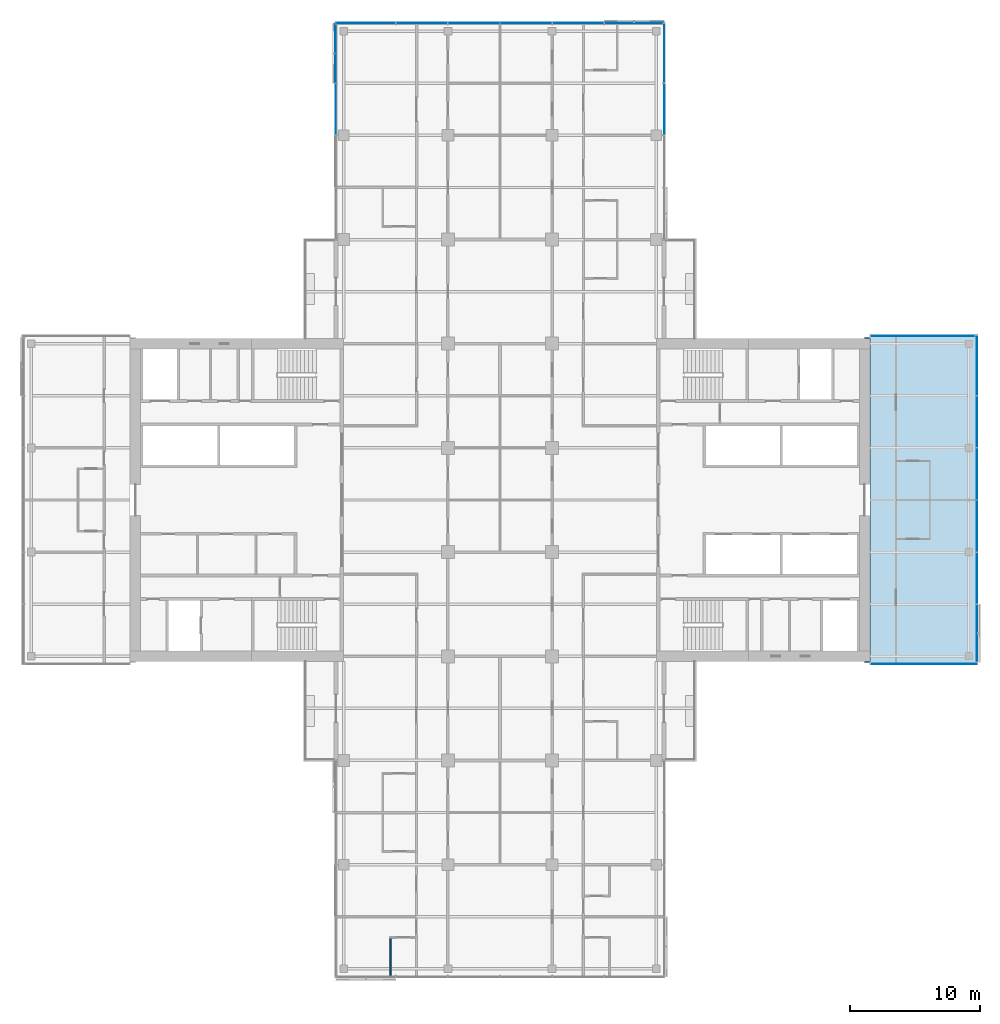
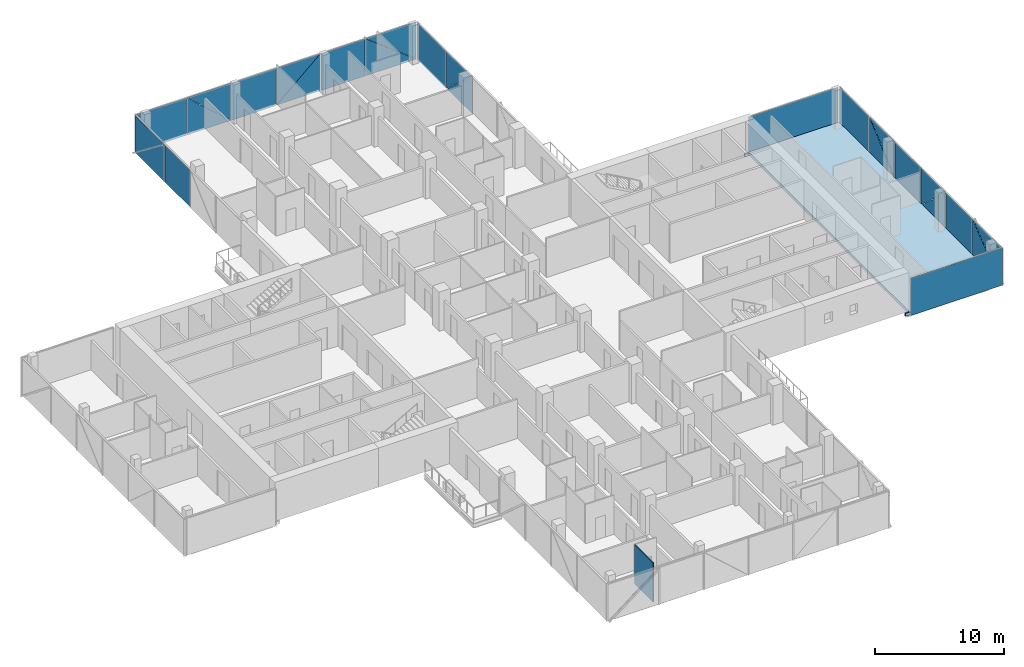
# One storey, part 14 of 27: 26 plates, 1 slab, 1 wall, 6 elements without a shape of their own.
"""IFC4 building model written with IfcOpenShell, lengths in metres."""

from ifc_helpers import new_model, si_unit, direction, frame, frame_2d, origin, place, context, subcontext, project, spatial, polyline, rectangle, outline, extrude, material, layer, layer_set, type_object, element, aggregate, save


model = new_model("IFC4")

# Units and contexts
model_context = context("Model", 3, precision=1e-05, world=origin(), true_north=direction((0.0, 1.0)))
body_context = subcontext(model_context, "Body", "Model", "MODEL_VIEW")
ifc_project = project(units=[si_unit("LENGTHUNIT", "METRE"), si_unit("AREAUNIT", "SQUARE_METRE"), si_unit("VOLUMEUNIT", "CUBIC_METRE"), si_unit("PLANEANGLEUNIT", "RADIAN"), si_unit("MASSUNIT", "GRAM", prefix="KILO")], contexts=[model_context])

# Site, building, storey
site_placement = place(None, origin())
site = spatial("IfcSite", under=ifc_project, at=site_placement, CompositionType="ELEMENT")
building_placement = place(site_placement, origin())
building = spatial("IfcBuilding", under=site, at=building_placement, Name="Crosswind Convention Tower", CompositionType="ELEMENT")
storey_placement = place(building_placement, frame((0.0, 0.0, 101.60009765625)))
storey = spatial("IfcBuildingStorey", under=building, at=storey_placement, Name="L20", CompositionType="ELEMENT", Elevation=101.60009765625)

# Slab
ifc_material_1 = material(Name="Concrete C40/50", Category="concrete")
ifc_layer_1 = layer(ifc_material_1, 0.280029296875)
ifc_layer_set_1 = layer_set([ifc_layer_1], Name="Concrete C40/50")
slab_type = type_object("IfcSlabType", Name="Composite floor slab 280", PredefinedType="FLOOR", material=ifc_layer_set_1)
slab_placement = place(storey_placement, frame((0.0, 0.0, -0.280029296875)))
element("IfcSlab", 1, at=slab_placement, inside=storey, type_object=slab_type, Name="Floor slab L20 part 3", PredefinedType="FLOOR", context=body_context, shape_type="SweptSolid", body=[
    extrude(outline(polyline([(153.0, 112.5), (161.0, 112.5), (161.5, 112.5), (161.5, 112.0), (161.5, 88.0), (161.5, 87.5), (161.0, 87.5), (153.0, 87.5), (153.0, 87.60009765625), (153.39990234375, 87.60009765625), (153.39990234375, 112.39990234375), (153.0, 112.39990234375), (153.0, 112.5)])), origin(), (0.0, 0.0, 1.0), 0.280029296875),
])

# Curtain wall, plate
ifc_material_2 = material(Name="Aluminium unitised curtain wall", Category="aluminium")
curtain_wall_type_1 = type_object("IfcCurtainWallType", Name="CORE END SLOT WALL 160", PredefinedType="USERDEFINED", material=ifc_material_2)
curtain_wall_1_placement = place(storey_placement, origin())
curtain_wall_1 = element("IfcCurtainWall", 2, at=curtain_wall_1_placement, inside=storey, type_object=curtain_wall_type_1, Name="CW6 L20 E-N.1-1 slot", ObjectType="UNITISED", PredefinedType="USERDEFINED")
ifc_material_3 = material(Name="Laminated insulating glass unit", Category="glass")
ifc_layer_2 = layer(ifc_material_3, 0.02587890625)
ifc_layer_set_2 = layer_set([ifc_layer_2], Name="TRIANGULAR GLASS PANEL 26")
plate_type_1 = type_object("IfcPlateType", Name="TRIANGULAR GLASS PANEL 26", PredefinedType="CURTAIN_PANEL", material=ifc_layer_set_2)
plate_1_placement = place(storey_placement, frame((161.449951171875, 112.606689453125, -0.280029296875), z_axis=(0.0, 0.999999913901, 0.000414966421), x_axis=(-1.0, 0.0, 0.0)))
plate_1 = element("IfcPlate", 3, at=plate_1_placement, type_object=plate_type_1, Name="CW6 panel 1.1", PredefinedType="CURTAIN_PANEL", context=body_context, shape_type="SweptSolid", body=[
    extrude(outline(polyline([(0.0, 0.0), (8.0, 0.0), (8.0, 3.5300296008054977), (0.0, 3.5300296008054977), (0.0, 0.0)])), origin(), (0.0, 0.0, -1.0), 0.02587890625),
])
aggregate(curtain_wall_1, [plate_1])

curtain_wall_2_placement = place(storey_placement, origin())
curtain_wall_2 = element("IfcCurtainWall", 4, at=curtain_wall_2_placement, inside=storey, type_object=curtain_wall_type_1, Name="CW6 L20 E-S.2-1 slot", ObjectType="UNITISED", PredefinedType="USERDEFINED")
plate_2_placement = place(storey_placement, frame((153.449951171875, 87.393310546875, -0.280029296875), z_axis=(0.0, -0.999999913901, 0.000414966421), x_axis=(1.0, 0.0, 0.0)))
plate_2 = element("IfcPlate", 5, at=plate_2_placement, type_object=plate_type_1, Name="CW6 panel 1.1", PredefinedType="CURTAIN_PANEL", context=body_context, shape_type="SweptSolid", body=[
    extrude(outline(polyline([(0.0, 0.0), (8.199951171875, 0.0), (8.199951171875, 3.5300296008054977), (0.0, 3.5300296008054977), (0.0, 0.0)])), origin(), (0.0, 0.0, -1.0), 0.02587890625),
])
aggregate(curtain_wall_2, [plate_2])

# Curtain wall, plates
curtain_wall_type_2 = type_object("IfcCurtainWallType", Name="HOTEL UNITISED WALL 200", PredefinedType="USERDEFINED", material=ifc_material_2)
curtain_wall_3_placement = place(storey_placement, origin())
curtain_wall_3 = element("IfcCurtainWall", 6, at=curtain_wall_3_placement, inside=storey, type_object=curtain_wall_type_2, Name="CW2 L20 E-TIP 1", ObjectType="UNITISED", PredefinedType="USERDEFINED")
ifc_layer_3 = layer(ifc_material_3, 0.028076171875)
ifc_layer_set_3 = layer_set([ifc_layer_3], Name="TRIANGULAR GLASS PANEL 28")
plate_type_2 = type_object("IfcPlateType", Name="TRIANGULAR GLASS PANEL 28", PredefinedType="CURTAIN_PANEL", material=ifc_layer_set_3)
plate_3_placement = place(storey_placement, frame((161.628662109375, 91.967529296875, -0.280029296875), z_axis=(0.999999912528, 0.0, 0.000418264167), x_axis=(-0.000418264167, 0.0, 0.999999912528)))
plate_3 = element("IfcPlate", 7, at=plate_3_placement, type_object=plate_type_2, Name="CW2 panel 1.1", PredefinedType="CURTAIN_PANEL", context=body_context, shape_type="SweptSolid", body=[
    extrude(outline(polyline([(0.0, 0.0), (3.502197571970839, 0.0), (0.0, 4.386474609375001), (0.0, 0.0)])), origin(), (0.0, 0.0, -1.0), 0.028076171875),
])
plate_4_placement = place(storey_placement, frame((161.6572265625, 87.56494140625, 3.23486328125), z_axis=(0.999999912528, 0.0, 0.000418264167), x_axis=(0.000418264167, 0.0, -0.999999912528)))
plate_4 = element("IfcPlate", 8, at=plate_4_placement, type_object=plate_type_2, Name="CW2 panel 1.2", PredefinedType="CURTAIN_PANEL", context=body_context, shape_type="SweptSolid", body=[
    extrude(outline(polyline([(0.0, 0.0), (3.502197571970839, 0.0), (0.0, 4.386474609375001), (0.0, 0.0)])), origin(), (0.0, 0.0, -1.0), 0.028076171875),
])
plate_5_placement = place(storey_placement, frame((161.628662109375, 92.032470703125, -0.280029296875), z_axis=(0.999999913158, 0.0, 0.000416753454), x_axis=(0.0, 1.0, 0.0)))
plate_5 = element("IfcPlate", 9, at=plate_5_placement, type_object=plate_type_2, Name="CW2 panel 2.1", PredefinedType="CURTAIN_PANEL", context=body_context, shape_type="SweptSolid", body=[
    extrude(outline(polyline([(0.0, 0.0), (3.93505859375, 0.0), (3.93505859375, 3.514892883364359), (0.0, 3.514892883364359), (0.0, 0.0)])), origin(), (0.0, 0.0, -1.0), 0.028076171875),
])
plate_6_placement = place(storey_placement, frame((161.627197265625, 99.967529296875, 3.23486328125), z_axis=(0.999999912491, 0.0, 0.000418351658), x_axis=(0.0, -1.0, 0.0)))
plate_6 = element("IfcPlate", 10, at=plate_6_placement, type_object=plate_type_2, Name="CW2 panel 3.1", PredefinedType="CURTAIN_PANEL", context=body_context, shape_type="SweptSolid", body=[
    extrude(outline(polyline([(0.0, 0.0), (3.919921875, 0.0), (0.0, 3.5014651501599188), (0.0, 0.0)])), origin(), (0.0, 0.0, -1.0), 0.028076171875),
])
plate_7_placement = place(storey_placement, frame((161.65869140625, 96.032470703125, -0.280029296875), z_axis=(0.999999912491, 0.0, 0.000418351658), x_axis=(0.0, 1.0, 0.0)))
plate_7 = element("IfcPlate", 11, at=plate_7_placement, type_object=plate_type_2, Name="CW2 panel 3.2", PredefinedType="CURTAIN_PANEL", context=body_context, shape_type="SweptSolid", body=[
    extrude(outline(polyline([(0.0, 0.0), (3.919921875, 0.0), (0.0, 3.5014651501599188), (0.0, 0.0)])), origin(), (0.0, 0.0, -1.0), 0.028076171875),
])
plate_8_placement = place(storey_placement, frame((161.628662109375, 100.032470703125, -0.280029296875), z_axis=(0.999999913158, 0.0, 0.000416753454), x_axis=(0.0, 1.0, 0.0)))
plate_8 = element("IfcPlate", 12, at=plate_8_placement, type_object=plate_type_2, Name="CW2 panel 4.1", PredefinedType="CURTAIN_PANEL", context=body_context, shape_type="SweptSolid", body=[
    extrude(outline(polyline([(0.0, 0.0), (3.93505859375, 0.0), (3.93505859375, 3.514892883364359), (0.0, 3.514892883364359), (0.0, 0.0)])), origin(), (0.0, 0.0, -1.0), 0.028076171875),
])
plate_9_placement = place(storey_placement, frame((161.628662109375, 107.967529296875, -0.280029296875), z_axis=(0.999999912491, 0.0, 0.000418351658), x_axis=(-0.000418351658, 0.0, 0.999999912491)))
plate_9 = element("IfcPlate", 13, at=plate_9_placement, type_object=plate_type_2, Name="CW2 panel 5.1", PredefinedType="CURTAIN_PANEL", context=body_context, shape_type="SweptSolid", body=[
    extrude(outline(polyline([(0.0, 0.0), (3.5014651501599188, 0.0), (0.0, 3.919921875), (0.0, 0.0)])), origin(), (0.0, 0.0, -1.0), 0.028076171875),
])
plate_10_placement = place(storey_placement, frame((161.6572265625, 104.032470703125, 3.23486328125), z_axis=(0.999999912491, 0.0, 0.000418351658), x_axis=(0.000418351658, 0.0, -0.999999912491)))
plate_10 = element("IfcPlate", 14, at=plate_10_placement, type_object=plate_type_2, Name="CW2 panel 5.2", PredefinedType="CURTAIN_PANEL", context=body_context, shape_type="SweptSolid", body=[
    extrude(outline(polyline([(0.0, 0.0), (3.5014651501599188, 0.0), (0.0, 3.919921875), (0.0, 0.0)])), origin(), (0.0, 0.0, -1.0), 0.028076171875),
])
plate_11_placement = place(storey_placement, frame((161.628662109375, 108.032470703125, -0.280029296875), z_axis=(0.999999913158, 0.0, 0.000416753454), x_axis=(0.0, 1.0, 0.0)))
plate_11 = element("IfcPlate", 15, at=plate_11_placement, type_object=plate_type_2, Name="CW2 panel 6.1", PredefinedType="CURTAIN_PANEL", context=body_context, shape_type="SweptSolid", body=[
    extrude(outline(polyline([(0.0, 0.0), (4.5625, 0.0), (4.5625, 3.514892883364359), (0.0, 3.514892883364359), (0.0, 0.0)])), origin(), (0.0, 0.0, -1.0), 0.028076171875),
])
aggregate(curtain_wall_3, [plate_3, plate_4, plate_5, plate_6, plate_7, plate_8, plate_9, plate_10, plate_11])

curtain_wall_4_placement = place(storey_placement, origin())
curtain_wall_4 = element("IfcCurtainWall", 16, at=curtain_wall_4_placement, inside=storey, type_object=curtain_wall_type_2, Name="CW2 L20 N-E 1", ObjectType="UNITISED", PredefinedType="USERDEFINED")
plate_12_placement = place(storey_placement, frame((137.627197265625, 131.967529296875, 3.23486328125), z_axis=(0.999999912491, 0.0, 0.000418351658), x_axis=(0.0, -1.0, 0.0)))
plate_12 = element("IfcPlate", 17, at=plate_12_placement, type_object=plate_type_2, Name="CW2 panel 3.1", PredefinedType="CURTAIN_PANEL", context=body_context, shape_type="SweptSolid", body=[
    extrude(outline(polyline([(0.0, 0.0), (3.919921875, 0.0), (0.0, 3.5014651501599188), (0.0, 0.0)])), origin(), (0.0, 0.0, -1.0), 0.028076171875),
])
plate_13_placement = place(storey_placement, frame((137.65869140625, 128.032470703125, -0.280029296875), z_axis=(0.999999912491, 0.0, 0.000418351658), x_axis=(0.0, 1.0, 0.0)))
plate_13 = element("IfcPlate", 18, at=plate_13_placement, type_object=plate_type_2, Name="CW2 panel 3.2", PredefinedType="CURTAIN_PANEL", context=body_context, shape_type="SweptSolid", body=[
    extrude(outline(polyline([(0.0, 0.0), (3.919921875, 0.0), (0.0, 3.5014651501599188), (0.0, 0.0)])), origin(), (0.0, 0.0, -1.0), 0.028076171875),
])
plate_14_placement = place(storey_placement, frame((137.628662109375, 132.032470703125, -0.280029296875), z_axis=(0.999999913158, 0.0, 0.000416753454), x_axis=(0.0, 1.0, 0.0)))
plate_14 = element("IfcPlate", 19, at=plate_14_placement, type_object=plate_type_2, Name="CW2 panel 4.1", PredefinedType="CURTAIN_PANEL", context=body_context, shape_type="SweptSolid", body=[
    extrude(outline(polyline([(0.0, 0.0), (4.534912109375, 0.0), (4.534912109375, 3.514892883364359), (0.0, 3.514892883364359), (0.0, 0.0)])), origin(), (0.0, 0.0, -1.0), 0.028076171875),
])
aggregate(curtain_wall_4, [plate_12, plate_13, plate_14])

curtain_wall_5_placement = place(storey_placement, origin())
curtain_wall_5 = element("IfcCurtainWall", 20, at=curtain_wall_5_placement, inside=storey, type_object=curtain_wall_type_2, Name="CW2 L20 N-TIP 1", ObjectType="UNITISED", PredefinedType="USERDEFINED")
plate_15_placement = place(storey_placement, frame((133.032470703125, 136.628662109375, -0.280029296875), z_axis=(0.0, 0.999999912528, 0.000418264167), x_axis=(0.0, -0.000418264167, 0.999999912528)))
plate_15 = element("IfcPlate", 21, at=plate_15_placement, type_object=plate_type_2, Name="CW2 panel 1.1", PredefinedType="CURTAIN_PANEL", context=body_context, shape_type="SweptSolid", body=[
    extrude(outline(polyline([(0.0, 0.0), (3.502197571970839, 0.0), (0.0, 4.518798828125), (0.0, 0.0)])), origin(), (0.0, 0.0, -1.0), 0.028076171875),
])
plate_16_placement = place(storey_placement, frame((137.5673828125, 136.6572265625, 3.23486328125), z_axis=(0.0, 0.999999912528, 0.000418264167), x_axis=(0.0, 0.000418264167, -0.999999912528)))
plate_16 = element("IfcPlate", 22, at=plate_16_placement, type_object=plate_type_2, Name="CW2 panel 1.2", PredefinedType="CURTAIN_PANEL", context=body_context, shape_type="SweptSolid", body=[
    extrude(outline(polyline([(0.0, 0.0), (3.502197571970839, 0.0), (0.0, 4.5185546875), (0.0, 0.0)])), origin(), (0.0, 0.0, -1.0), 0.028076171875),
])
plate_17_placement = place(storey_placement, frame((132.967529296875, 136.628662109375, -0.280029296875), z_axis=(0.0, 0.999999913158, 0.000416753454), x_axis=(-1.0, 0.0, 0.0)))
plate_17 = element("IfcPlate", 23, at=plate_17_placement, type_object=plate_type_2, Name="CW2 panel 2.1", PredefinedType="CURTAIN_PANEL", context=body_context, shape_type="SweptSolid", body=[
    extrude(outline(polyline([(0.0, 0.0), (3.93505859375, 0.0), (3.93505859375, 3.514892883364359), (0.0, 3.514892883364359), (0.0, 0.0)])), origin(), (0.0, 0.0, -1.0), 0.028076171875),
])
plate_18_placement = place(storey_placement, frame((125.032470703125, 136.627197265625, 3.23486328125), z_axis=(0.0, 0.999999912491, 0.000418351658), x_axis=(1.0, 0.0, 0.0)))
plate_18 = element("IfcPlate", 24, at=plate_18_placement, type_object=plate_type_2, Name="CW2 panel 3.1", PredefinedType="CURTAIN_PANEL", context=body_context, shape_type="SweptSolid", body=[
    extrude(outline(polyline([(0.0, 0.0), (3.919921875, 0.0), (0.0, 3.5014651501599188), (0.0, 0.0)])), origin(), (0.0, 0.0, -1.0), 0.028076171875),
])
plate_19_placement = place(storey_placement, frame((128.967529296875, 136.65869140625, -0.280029296875), z_axis=(0.0, 0.999999912491, 0.000418351658), x_axis=(-1.0, 0.0, 0.0)))
plate_19 = element("IfcPlate", 25, at=plate_19_placement, type_object=plate_type_2, Name="CW2 panel 3.2", PredefinedType="CURTAIN_PANEL", context=body_context, shape_type="SweptSolid", body=[
    extrude(outline(polyline([(0.0, 0.0), (3.919921875, 0.0), (0.0, 3.5014651501599188), (0.0, 0.0)])), origin(), (0.0, 0.0, -1.0), 0.028076171875),
])
plate_20_placement = place(storey_placement, frame((124.967529296875, 136.628662109375, -0.280029296875), z_axis=(0.0, 0.999999913158, 0.000416753454), x_axis=(-1.0, 0.0, 0.0)))
plate_20 = element("IfcPlate", 26, at=plate_20_placement, type_object=plate_type_2, Name="CW2 panel 4.1", PredefinedType="CURTAIN_PANEL", context=body_context, shape_type="SweptSolid", body=[
    extrude(outline(polyline([(0.0, 0.0), (3.93505859375, 0.0), (3.93505859375, 3.514892883364359), (0.0, 3.514892883364359), (0.0, 0.0)])), origin(), (0.0, 0.0, -1.0), 0.028076171875),
])
plate_21_placement = place(storey_placement, frame((117.032470703125, 136.628662109375, -0.280029296875), z_axis=(0.0, 0.999999912491, 0.000418351658), x_axis=(0.0, -0.000418351658, 0.999999912491)))
plate_21 = element("IfcPlate", 27, at=plate_21_placement, type_object=plate_type_2, Name="CW2 panel 5.1", PredefinedType="CURTAIN_PANEL", context=body_context, shape_type="SweptSolid", body=[
    extrude(outline(polyline([(0.0, 0.0), (3.5014651501599188, 0.0), (0.0, 3.919921875), (0.0, 0.0)])), origin(), (0.0, 0.0, -1.0), 0.028076171875),
])
plate_22_placement = place(storey_placement, frame((120.967529296875, 136.6572265625, 3.23486328125), z_axis=(0.0, 0.999999912491, 0.000418351658), x_axis=(0.0, 0.000418351658, -0.999999912491)))
plate_22 = element("IfcPlate", 28, at=plate_22_placement, type_object=plate_type_2, Name="CW2 panel 5.2", PredefinedType="CURTAIN_PANEL", context=body_context, shape_type="SweptSolid", body=[
    extrude(outline(polyline([(0.0, 0.0), (3.5014651501599188, 0.0), (0.0, 3.919921875), (0.0, 0.0)])), origin(), (0.0, 0.0, -1.0), 0.028076171875),
])
plate_23_placement = place(storey_placement, frame((116.967529296875, 136.628662109375, -0.280029296875), z_axis=(0.0, 0.999999913158, 0.000416753454), x_axis=(-1.0, 0.0, 0.0)))
plate_23 = element("IfcPlate", 29, at=plate_23_placement, type_object=plate_type_2, Name="CW2 panel 6.1", PredefinedType="CURTAIN_PANEL", context=body_context, shape_type="SweptSolid", body=[
    extrude(outline(polyline([(0.0, 0.0), (4.534912109375, 0.0), (4.534912109375, 3.514892883364359), (0.0, 3.514892883364359), (0.0, 0.0)])), origin(), (0.0, 0.0, -1.0), 0.028076171875),
])
aggregate(curtain_wall_5, [plate_15, plate_16, plate_17, plate_18, plate_19, plate_20, plate_21, plate_22, plate_23])

curtain_wall_6_placement = place(storey_placement, origin())
curtain_wall_6 = element("IfcCurtainWall", 30, at=curtain_wall_6_placement, inside=storey, type_object=curtain_wall_type_2, Name="CW2 L20 N-W 1", ObjectType="UNITISED", PredefinedType="USERDEFINED")
plate_24_placement = place(storey_placement, frame((112.371337890625, 132.032470703125, -0.280029296875), z_axis=(-0.999999912528, 0.0, 0.000418264167), x_axis=(0.000418264167, 0.0, 0.999999912528)))
plate_24 = element("IfcPlate", 31, at=plate_24_placement, type_object=plate_type_2, Name="CW2 panel 1.1", PredefinedType="CURTAIN_PANEL", context=body_context, shape_type="SweptSolid", body=[
    extrude(outline(polyline([(0.0, 0.0), (3.502197571970839, 0.0), (0.0, 4.518798828125), (0.0, 0.0)])), origin(), (0.0, 0.0, -1.0), 0.028076171875),
])
plate_25_placement = place(storey_placement, frame((112.3427734375, 136.5673828125, 3.23486328125), z_axis=(-0.999999912528, 0.0, 0.000418264167), x_axis=(-0.000418264167, 0.0, -0.999999912528)))
plate_25 = element("IfcPlate", 32, at=plate_25_placement, type_object=plate_type_2, Name="CW2 panel 1.2", PredefinedType="CURTAIN_PANEL", context=body_context, shape_type="SweptSolid", body=[
    extrude(outline(polyline([(0.0, 0.0), (3.502197571970839, 0.0), (0.0, 4.5185546875), (0.0, 0.0)])), origin(), (0.0, 0.0, -1.0), 0.028076171875),
])
plate_26_placement = place(storey_placement, frame((112.371337890625, 131.967529296875, -0.280029296875), z_axis=(-0.999999913158, 0.0, 0.000416753454), x_axis=(0.0, -1.0, 0.0)))
plate_26 = element("IfcPlate", 33, at=plate_26_placement, type_object=plate_type_2, Name="CW2 panel 2.1", PredefinedType="CURTAIN_PANEL", context=body_context, shape_type="SweptSolid", body=[
    extrude(outline(polyline([(0.0, 0.0), (3.93505859375, 0.0), (3.93505859375, 3.514892883364359), (0.0, 3.514892883364359), (0.0, 0.0)])), origin(), (0.0, 0.0, -1.0), 0.028076171875),
])
aggregate(curtain_wall_6, [plate_24, plate_25, plate_26])

# Wall
ifc_material_4 = material(Name="Water-resistant plasterboard partition", Category="gypsum")
ifc_layer_4 = layer(ifc_material_4, 0.10009765625)
ifc_layer_set_4 = layer_set([ifc_layer_4], Name="WET ROOM PARTITION 100")
wall_type = type_object("IfcWallType", Name="WET ROOM PARTITION 100", PredefinedType="PLUMBINGWALL", material=ifc_layer_set_4)
wall_placement = place(storey_placement, frame((116.60009765625, 63.5, 0.0), z_axis=(0.0, 0.0, 1.0), x_axis=(0.0, 1.0, 0.0)))
element("IfcWall", 34, at=wall_placement, inside=storey, type_object=wall_type, Name="Wet Room Partition 57", PredefinedType="PLUMBINGWALL", context=body_context, shape_type="SweptSolid", body=[
    extrude(rectangle(XDim=2.85009765625, YDim=0.10009765625, at=frame_2d((1.425048828125, 0.0))), origin(), (0.0, 0.0, 1.0), 3.699951171875),
])

save(model, "model.ifc")
